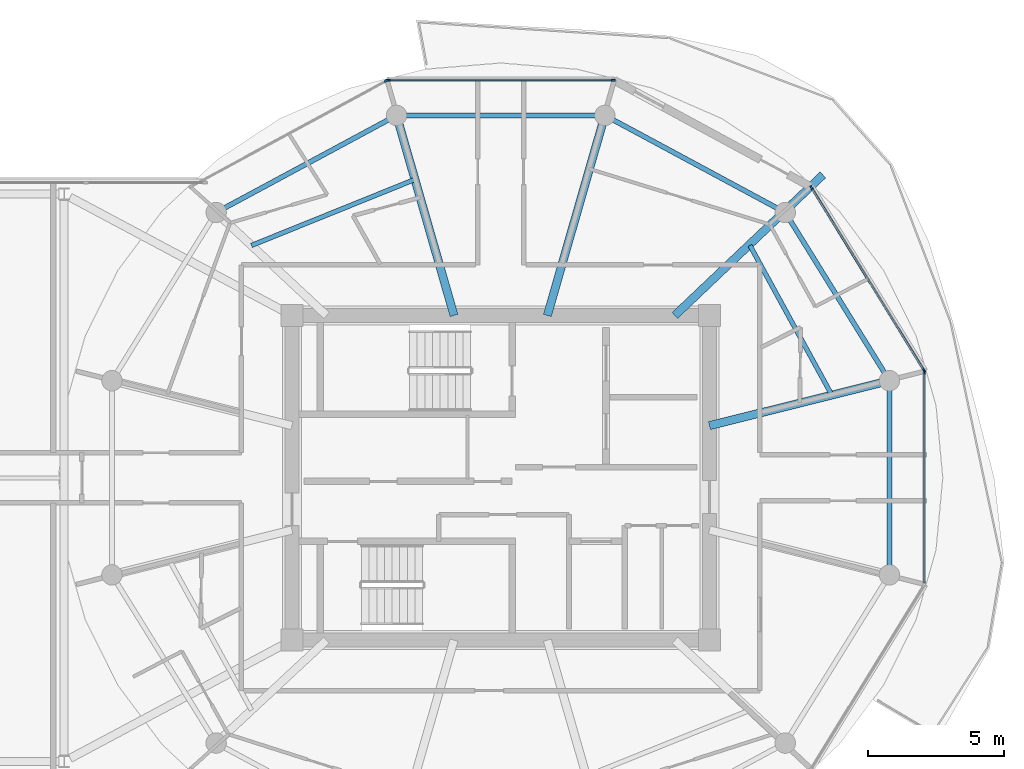
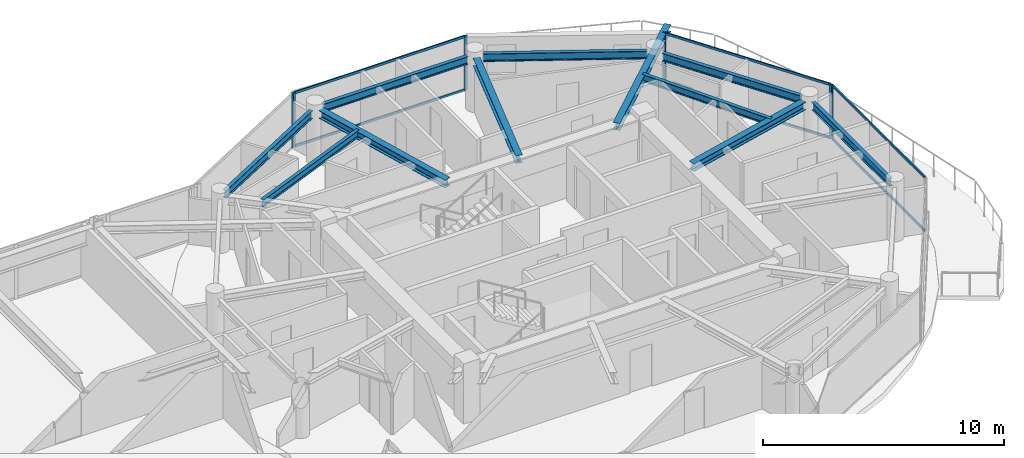
# One storey, part 10 of 23: 12 members, 11 beams, 4 elements without a shape of their own.
"""IFC4 building model written with IfcOpenShell, lengths in metres."""

from ifc_helpers import new_model, si_unit, direction, frame, origin, origin_2d, place, context, subcontext, project, spatial, rectangle, i_section, extrude, source, transform, mapped, material, layer, layer_set, material_profile, profile_set, type_object, type_shapes, element, aggregate, save


model = new_model("IFC4")

# Units and contexts
model_context = context("Model", 3, precision=1e-05, world=origin(), true_north=direction((0.0, 1.0)))
body_context = subcontext(model_context, "Body", "Model", "MODEL_VIEW")
ifc_project = project(units=[si_unit("LENGTHUNIT", "METRE"), si_unit("AREAUNIT", "SQUARE_METRE"), si_unit("VOLUMEUNIT", "CUBIC_METRE"), si_unit("PLANEANGLEUNIT", "RADIAN"), si_unit("MASSUNIT", "GRAM", prefix="KILO")], contexts=[model_context])

# Site, building, storey
site_placement = place(None, origin())
site = spatial("IfcSite", under=ifc_project, at=site_placement, CompositionType="ELEMENT")
building_placement = place(site_placement, origin())
building = spatial("IfcBuilding", under=site, at=building_placement, Name="Norrkilde Senior Care Towers", CompositionType="ELEMENT")
storey_placement = place(building_placement, frame((0.0, 0.0, 220.0)))
storey = spatial("IfcBuildingStorey", under=building, at=storey_placement, Name="L68", CompositionType="ELEMENT", Elevation=220.0)

# Beams
ifc_material_1 = material(Name="Steel S355", Category="steel")
ifc_material_profile_1 = material_profile(ifc_material_1, i_section(OverallWidth=0.179931640625, OverallDepth=0.39990234375, WebThickness=0.008544921875, FlangeThickness=0.013427734375, FilletRadius=0.02099609375, at=origin_2d()), Name="IPE 400")
ifc_profile_set_1 = profile_set([ifc_material_profile_1], Name="Steel S355")
beam_type_1 = type_object("IfcBeamType", Name="Perimeter Ring Spandrel Z4 IPE400", PredefinedType="SPANDREL", material=ifc_profile_set_1)
shared_shape_1 = source(origin(), body_context, "Body", "SweptSolid", [
    extrude(i_section(OverallWidth=0.179931640625, OverallDepth=0.39990234375, WebThickness=0.008544921875, FlangeThickness=0.013427734375, FilletRadius=0.02099609375, at=origin_2d()), origin(), (0.0, 0.0, 1.0), 6.58056640625),
])
beam_1_placement = place(storey_placement, frame((42.071044921875, 3.843505859375, 2.56005859375), z_axis=(-0.526529583789, 0.850156807533, 0.0), x_axis=(-0.850156807533, -0.526529583789, 0.0)))
element("IfcBeam", 1, at=beam_1_placement, inside=storey, type_object=beam_type_1, Name="L68 Drum E Perimeter Spandrel 01", PredefinedType="SPANDREL", context=body_context, shape_type="MappedRepresentation", body=[
    mapped(shared_shape_1, transform((0.0, 0.0, 0.0), x_axis=(1.0, 0.0, 0.0), y_axis=(0.0, 1.0, 0.0), z_axis=(0.0, 0.0, 1.0), scale=1.0)),
])
ifc_material_profile_2 = material_profile(ifc_material_1, i_section(OverallWidth=0.300048828125, OverallDepth=0.39990234375, WebThickness=0.013427734375, FlangeThickness=0.02392578125, FilletRadius=0.027099609375, at=origin_2d()), Name="HEB 400")
ifc_profile_set_2 = profile_set([ifc_material_profile_2], Name="Steel S355")
beam_type_2 = type_object("IfcBeamType", Name="Radial Floor Beam Z4 HEB400", PredefinedType="BEAM", material=ifc_profile_set_2)
shared_shape_2 = source(origin(), body_context, "Body", "SweptSolid", [
    extrude(i_section(OverallWidth=0.300048828125, OverallDepth=0.39990234375, WebThickness=0.013427734375, FlangeThickness=0.02392578125, FilletRadius=0.027099609375, at=origin_2d()), origin(), (0.0, 0.0, 1.0), 6.465087890625),
])
beam_2_placement = place(storey_placement, frame((35.64990234375, 1.910888671875, 2.56005859375), z_axis=(0.970195788563, 0.242322371758, 0.0), x_axis=(-0.242322371758, 0.970195788563, 0.0)))
element("IfcBeam", 2, at=beam_2_placement, inside=storey, type_object=beam_type_2, Name="L68 Drum E Radial Floor Beam 01", PredefinedType="BEAM", context=body_context, shape_type="MappedRepresentation", body=[
    mapped(shared_shape_2, transform((0.0, 0.0, 0.0), x_axis=(1.0, 0.0, 0.0), y_axis=(0.0, 1.0, 0.0), z_axis=(0.0, 0.0, 1.0), scale=1.0)),
])
shared_shape_3 = source(origin(), body_context, "Body", "SweptSolid", [
    extrude(i_section(OverallWidth=0.179931640625, OverallDepth=0.39990234375, WebThickness=0.008544921875, FlangeThickness=0.013427734375, FilletRadius=0.02099609375, at=origin_2d()), origin(), (0.0, 0.0, 1.0), 6.839111328125),
])
for number, where, z_axis, x_axis, name in (
    (3, (38.134765625, 9.881591796875, 2.56005859375), (-0.880563930732, 0.473927382511, 0.0), (-0.473927382511, -0.880563930732, 0.0), "L68 Drum E Perimeter Spandrel 02"),
    (4, (23.887451171875, 13.122802734375, 2.56005859375), (-0.880563930732, -0.473927382511, 0.0), (0.473927382511, -0.880563930732, 0.0), "L68 Drum E Perimeter Spandrel 04"),
):
    element("IfcBeam", number, at=place(storey_placement, frame(where, z_axis=z_axis, x_axis=x_axis)), inside=storey, type_object=beam_type_1, Name=name, PredefinedType="SPANDREL", context=body_context, shape_type="MappedRepresentation", body=[
        mapped(shared_shape_3, transform((0.0, 0.0, 0.0), x_axis=(1.0, 0.0, 0.0), y_axis=(0.0, 1.0, 0.0), z_axis=(0.0, 0.0, 1.0), scale=1.0)),
    ])
shared_shape_4 = source(origin(), body_context, "Body", "SweptSolid", [
    extrude(i_section(OverallWidth=0.179931640625, OverallDepth=0.39990234375, WebThickness=0.008544921875, FlangeThickness=0.013427734375, FilletRadius=0.02099609375, at=origin_2d()), origin(), (0.0, 0.0, 1.0), 6.96533203125),
])
beam_3_placement = place(storey_placement, frame((31.482666015625, 13.281494140625, 2.56005859375), z_axis=(-1.0, 0.0, 0.0), x_axis=(0.0, -1.0, 0.0)))
element("IfcBeam", 5, at=beam_3_placement, inside=storey, type_object=beam_type_1, Name="L68 Drum E Perimeter Spandrel 03", PredefinedType="SPANDREL", context=body_context, shape_type="MappedRepresentation", body=[
    mapped(shared_shape_4, transform((0.0, 0.0, 0.0), x_axis=(1.0, 0.0, 0.0), y_axis=(0.0, 1.0, 0.0), z_axis=(0.0, 0.0, 1.0), scale=1.0)),
])
shared_shape_5 = source(origin(), body_context, "Body", "SweptSolid", [
    extrude(i_section(OverallWidth=0.300048828125, OverallDepth=0.39990234375, WebThickness=0.013427734375, FlangeThickness=0.02392578125, FilletRadius=0.027099609375, at=origin_2d()), origin(), (0.0, 0.0, 1.0), 7.29345703125),
])
type_shapes(beam_type_2, [shared_shape_2, shared_shape_5])
for number, where, z_axis, x_axis, name in (
    (6, (29.710205078125, 5.949951171875, 2.56005859375), (0.276263751906, 0.961081858836, 0.0), (-0.961081858836, 0.276263751906, 0.0), "L68 Drum E Radial Floor Beam 03"),
    (7, (26.289794921875, 5.949951171875, 2.56005859375), (-0.276263751906, 0.961081858836, 0.0), (-0.961081858836, -0.276263751906, 0.0), "L68 Drum E Radial Floor Beam 04"),
):
    element("IfcBeam", number, at=place(storey_placement, frame(where, z_axis=z_axis, x_axis=x_axis)), inside=storey, type_object=beam_type_2, Name=name, PredefinedType="BEAM", context=body_context, shape_type="MappedRepresentation", body=[
        mapped(shared_shape_5, transform((0.0, 0.0, 0.0), x_axis=(1.0, 0.0, 0.0), y_axis=(0.0, 1.0, 0.0), z_axis=(0.0, 0.0, 1.0), scale=1.0)),
    ])
shared_shape_6 = source(origin(), body_context, "Body", "SweptSolid", [
    extrude(i_section(OverallWidth=0.179931640625, OverallDepth=0.39990234375, WebThickness=0.008544921875, FlangeThickness=0.013427734375, FilletRadius=0.02099609375, at=origin_2d()), origin(), (0.0, 0.0, 1.0), 6.44775390625),
])
type_shapes(beam_type_1, [shared_shape_1, shared_shape_3, shared_shape_4, shared_shape_6])
beam_4_placement = place(storey_placement, frame((42.247314453125, -3.223876953125, 2.56005859375), z_axis=(0.0, 1.0, 0.0), x_axis=(-1.0, 0.0, 0.0)))
element("IfcBeam", 8, at=beam_4_placement, inside=storey, type_object=beam_type_1, Name="L68 Drum E Perimeter Spandrel 12", PredefinedType="SPANDREL", context=body_context, shape_type="MappedRepresentation", body=[
    mapped(shared_shape_6, transform((0.0, 0.0, 0.0), x_axis=(1.0, 0.0, 0.0), y_axis=(0.0, 1.0, 0.0), z_axis=(0.0, 0.0, 1.0), scale=1.0)),
])
ifc_material_profile_3 = material_profile(ifc_material_1, i_section(OverallWidth=0.169921875, OverallDepth=0.360107421875, WebThickness=0.008056640625, FlangeThickness=0.0126953125, FilletRadius=0.01806640625, at=origin_2d()), Name="IPE 360")
ifc_profile_set_3 = profile_set([ifc_material_profile_3], Name="Steel S355")
beam_type_3 = type_object("IfcBeamType", Name="Secondary Floor Joist IPE360", PredefinedType="JOIST", material=ifc_profile_set_3)
shared_shape_7 = source(origin(), body_context, "Body", "SweptSolid", [
    extrude(i_section(OverallWidth=0.169921875, OverallDepth=0.360107421875, WebThickness=0.008056640625, FlangeThickness=0.0126953125, FilletRadius=0.01806640625, at=origin_2d()), origin(), (0.0, 0.0, 1.0), 6.461669921875),
])
beam_5_placement = place(storey_placement, frame((24.856689453125, 10.935302734375, 2.580078125), z_axis=(-0.927225942298, -0.374502405772, 0.0), x_axis=(0.374502405772, -0.927225942298, 0.0)))
element("IfcBeam", 9, at=beam_5_placement, inside=storey, type_object=beam_type_3, Name="L68 Drum E Secondary Floor Joist 2", PredefinedType="JOIST", context=body_context, shape_type="MappedRepresentation", body=[
    mapped(shared_shape_7, transform((0.0, 0.0, 0.0), x_axis=(1.0, 0.0, 0.0), y_axis=(0.0, 1.0, 0.0), z_axis=(0.0, 0.0, 1.0), scale=1.0)),
])
shared_shape_8 = source(origin(), body_context, "Body", "SweptSolid", [
    extrude(i_section(OverallWidth=0.169921875, OverallDepth=0.360107421875, WebThickness=0.008056640625, FlangeThickness=0.0126953125, FilletRadius=0.01806640625, at=origin_2d()), origin(), (0.0, 0.0, 1.0), 6.25146484375),
])
type_shapes(beam_type_3, [shared_shape_7, shared_shape_8])
beam_6_placement = place(storey_placement, frame((40.13623046875, 3.031494140625, 2.580078125), z_axis=(-0.480115752653, 0.877205143655, 0.0), x_axis=(-0.877205143655, -0.480115752653, 0.0)))
element("IfcBeam", 10, at=beam_6_placement, inside=storey, type_object=beam_type_3, Name="L68 Drum E Secondary Floor Joist 1", PredefinedType="JOIST", context=body_context, shape_type="MappedRepresentation", body=[
    mapped(shared_shape_8, transform((0.0, 0.0, 0.0), x_axis=(1.0, 0.0, 0.0), y_axis=(0.0, 1.0, 0.0), z_axis=(0.0, 0.0, 1.0), scale=1.0)),
])
ifc_material_profile_4 = material_profile(ifc_material_1, i_section(OverallWidth=0.300048828125, OverallDepth=0.360107421875, WebThickness=0.012451171875, FlangeThickness=0.0224609375, FilletRadius=0.027099609375, at=origin_2d()), Name="HEB 360")
ifc_profile_set_4 = profile_set([ifc_material_profile_4], Name="Steel S355")
beam_type_4 = type_object("IfcBeamType", Name="Balcony Crest Cantilever Rib HEB360", PredefinedType="BEAM", material=ifc_profile_set_4)
shared_shape_9 = source(origin(), body_context, "Body", "SweptSolid", [
    extrude(i_section(OverallWidth=0.300048828125, OverallDepth=0.360107421875, WebThickness=0.012451171875, FlangeThickness=0.0224609375, FilletRadius=0.027099609375, at=origin_2d()), origin(), (0.0, 0.0, 1.0), 7.48193359375),
])
type_shapes(beam_type_4, [shared_shape_9])
beam_7_placement = place(storey_placement, frame((34.3828125, 5.949951171875, 2.580078125), z_axis=(0.725191675346, 0.688547045603, 0.0), x_axis=(-0.688547045603, 0.725191675346, 0.0)))
element("IfcBeam", 11, at=beam_7_placement, inside=storey, type_object=beam_type_4, Name="L68 Drum E Balcony Cantilever Rib", PredefinedType="BEAM", context=body_context, shape_type="MappedRepresentation", body=[
    mapped(shared_shape_9, transform((0.0, 0.0, 0.0), x_axis=(1.0, 0.0, 0.0), y_axis=(0.0, 1.0, 0.0), z_axis=(0.0, 0.0, 1.0), scale=1.0)),
])

# Curtain wall, members
ifc_material_2 = material(Name="Triple Low-E Insulated Glazing", Category="glass")
ifc_layer = layer(ifc_material_2, 0.18505859375)
ifc_layer_set = layer_set([ifc_layer], Name="Triple Low-E Insulated Glazing")
curtain_wall_type = type_object("IfcCurtainWallType", Name="CW6 Zone 4 Crown Pavilion Curtain Wall", PredefinedType="NOTDEFINED", material=ifc_layer_set)
curtain_wall_1_placement = place(storey_placement, origin())
curtain_wall_1 = element("IfcCurtainWall", 12, at=curtain_wall_1_placement, inside=storey, type_object=curtain_wall_type, Name="L68 Drum E Curtain Wall 00", PredefinedType="NOTDEFINED")
ifc_material_3 = material(Name="Anodised Aluminium", Category="aluminium")
ifc_material_profile_5 = material_profile(ifc_material_3, rectangle(XDim=0.06005859375, YDim=0.1201171875, at=origin_2d()), Name="ALU TRAN 60x120")
ifc_profile_set_5 = profile_set([ifc_material_profile_5], Name="Anodised Aluminium")
member_type_1 = type_object("IfcMemberType", Name="Curtain Wall Transom Typical 60x120", PredefinedType="USERDEFINED", material=ifc_profile_set_5)
shared_shape_10 = source(origin(), body_context, "Body", "SweptSolid", [
    extrude(rectangle(XDim=0.06005859375, YDim=0.1201171875, at=origin_2d()), origin(), (0.0, 0.0, 1.0), 7.808837890625),
])
member_1_placement = place(storey_placement, frame((39.404296875, 10.60791015625, 0.030029296875), z_axis=(0.524250924101, -0.851563837055, 0.0), x_axis=(0.851563837055, 0.524250924101, 0.0)))
member_1 = element("IfcMember", 13, at=member_1_placement, type_object=member_type_1, Name="CW-6 transom 1.1", ObjectType="TRANSOM", PredefinedType="USERDEFINED", context=body_context, shape_type="MappedRepresentation", body=[
    mapped(shared_shape_10, transform((0.0, 0.0, 0.0), x_axis=(1.0, 0.0, 0.0), y_axis=(0.0, 1.0, 0.0), z_axis=(0.0, 0.0, 1.0), scale=1.0)),
])
member_2_placement = place(storey_placement, frame((39.404296875, 10.60791015625, 2.72998046875), z_axis=(0.524250924101, -0.851563837055, 0.0), x_axis=(0.851563837055, 0.524250924101, 0.0)))
member_2 = element("IfcMember", 14, at=member_2_placement, type_object=member_type_1, Name="CW-6 transom 1.2", ObjectType="TRANSOM", PredefinedType="USERDEFINED", context=body_context, shape_type="MappedRepresentation", body=[
    mapped(shared_shape_10, transform((0.0, 0.0, 0.0), x_axis=(1.0, 0.0, 0.0), y_axis=(0.0, 1.0, 0.0), z_axis=(0.0, 0.0, 1.0), scale=1.0)),
])

curtain_wall_2_placement = place(storey_placement, origin())
curtain_wall_2 = element("IfcCurtainWall", 15, at=curtain_wall_2_placement, inside=storey, type_object=curtain_wall_type, Name="L68 Drum E Curtain Wall 02", PredefinedType="NOTDEFINED")
shared_shape_11 = source(origin(), body_context, "Body", "SweptSolid", [
    extrude(rectangle(XDim=0.06005859375, YDim=0.1201171875, at=origin_2d()), origin(), (0.0, 0.0, 1.0), 8.19384765625),
])
member_3_placement = place(storey_placement, frame((23.903076171875, 14.566162109375, 0.030029296875), z_axis=(1.0, 0.0, 0.0), x_axis=(0.0, 1.0, 0.0)))
member_3 = element("IfcMember", 16, at=member_3_placement, type_object=member_type_1, Name="CW-6 transom 1.1", ObjectType="TRANSOM", PredefinedType="USERDEFINED", context=body_context, shape_type="MappedRepresentation", body=[
    mapped(shared_shape_11, transform((0.0, 0.0, 0.0), x_axis=(1.0, 0.0, 0.0), y_axis=(0.0, 1.0, 0.0), z_axis=(0.0, 0.0, 1.0), scale=1.0)),
])
member_4_placement = place(storey_placement, frame((23.903076171875, 14.566162109375, 2.72998046875), z_axis=(1.0, 0.0, 0.0), x_axis=(0.0, 1.0, 0.0)))
member_4 = element("IfcMember", 17, at=member_4_placement, type_object=member_type_1, Name="CW-6 transom 1.2", ObjectType="TRANSOM", PredefinedType="USERDEFINED", context=body_context, shape_type="MappedRepresentation", body=[
    mapped(shared_shape_11, transform((0.0, 0.0, 0.0), x_axis=(1.0, 0.0, 0.0), y_axis=(0.0, 1.0, 0.0), z_axis=(0.0, 0.0, 1.0), scale=1.0)),
])

curtain_wall_3_placement = place(storey_placement, origin())
curtain_wall_3 = element("IfcCurtainWall", 18, at=curtain_wall_3_placement, inside=storey, type_object=curtain_wall_type, Name="L68 Drum E Curtain Wall 11", PredefinedType="NOTDEFINED")
shared_shape_12 = source(origin(), body_context, "Body", "SweptSolid", [
    extrude(rectangle(XDim=0.06005859375, YDim=0.1201171875, at=origin_2d()), origin(), (0.0, 0.0, 1.0), 7.67578125),
])
type_shapes(member_type_1, [shared_shape_10, shared_shape_11, shared_shape_12])
member_5_placement = place(storey_placement, frame((43.531982421875, 3.837890625, 0.030029296875), z_axis=(0.0, -1.0, 0.0), x_axis=(1.0, 0.0, 0.0)))
member_5 = element("IfcMember", 19, at=member_5_placement, type_object=member_type_1, Name="CW-6 transom 1.1", ObjectType="TRANSOM", PredefinedType="USERDEFINED", context=body_context, shape_type="MappedRepresentation", body=[
    mapped(shared_shape_12, transform((0.0, 0.0, 0.0), x_axis=(1.0, 0.0, 0.0), y_axis=(0.0, 1.0, 0.0), z_axis=(0.0, 0.0, 1.0), scale=1.0)),
])
member_6_placement = place(storey_placement, frame((43.531982421875, 3.837890625, 2.72998046875), z_axis=(0.0, -1.0, 0.0), x_axis=(1.0, 0.0, 0.0)))
member_6 = element("IfcMember", 20, at=member_6_placement, type_object=member_type_1, Name="CW-6 transom 1.2", ObjectType="TRANSOM", PredefinedType="USERDEFINED", context=body_context, shape_type="MappedRepresentation", body=[
    mapped(shared_shape_12, transform((0.0, 0.0, 0.0), x_axis=(1.0, 0.0, 0.0), y_axis=(0.0, 1.0, 0.0), z_axis=(0.0, 0.0, 1.0), scale=1.0)),
])

# Member
ifc_material_profile_6 = material_profile(ifc_material_3, rectangle(XDim=0.06494140625, YDim=0.14990234375, at=origin_2d()), Name="ALU MULL 65x150")
ifc_profile_set_6 = profile_set([ifc_material_profile_6], Name="Anodised Aluminium")
member_type_2 = type_object("IfcMemberType", Name="Curtain Wall Mullion Z3-Z4 65x150", PredefinedType="MULLION", material=ifc_profile_set_6)
shared_shape_13 = source(origin(), body_context, "Body", "SweptSolid", [
    extrude(rectangle(XDim=0.06494140625, YDim=0.14990234375, at=origin_2d()), origin(), (0.0, 0.0, 1.0), 2.760009765625),
])
type_shapes(member_type_2, [shared_shape_13])
member_7_placement = place(storey_placement, frame((39.38720703125, 10.635498046875, 0.0), z_axis=(0.0, 0.0, 1.0), x_axis=(0.851562727283, 0.524252726748, 0.0)))
member_7 = element("IfcMember", 21, at=member_7_placement, type_object=member_type_2, Name="CW-6 mullion 1", PredefinedType="MULLION", context=body_context, shape_type="MappedRepresentation", body=[
    mapped(shared_shape_13, transform((0.0, 0.0, 0.0), x_axis=(1.0, 0.0, 0.0), y_axis=(0.0, 1.0, 0.0), z_axis=(0.0, 0.0, 1.0), scale=1.0)),
])

member_8_placement = place(storey_placement, frame((43.51513671875, 3.9306640625, 0.0), z_axis=(0.0, 0.0, 1.0), x_axis=(0.851562727283, 0.524252726748, 0.0)))
member_8 = element("IfcMember", 22, at=member_8_placement, type_object=member_type_2, Name="CW-6 mullion 2", PredefinedType="MULLION", context=body_context, shape_type="MappedRepresentation", body=[
    mapped(shared_shape_13, transform((0.0, 0.0, 0.0), x_axis=(1.0, 0.0, 0.0), y_axis=(0.0, 1.0, 0.0), z_axis=(0.0, 0.0, 1.0), scale=1.0)),
])

aggregate(curtain_wall_1, [member_7, member_8, member_1, member_2])

member_9_placement = place(storey_placement, frame((23.87060546875, 14.566162109375, 0.0), z_axis=(0.0, 0.0, 1.0), x_axis=(0.0, 1.0, 0.0)))
member_9 = element("IfcMember", 23, at=member_9_placement, type_object=member_type_2, Name="CW-6 mullion 1", PredefinedType="MULLION", context=body_context, shape_type="MappedRepresentation", body=[
    mapped(shared_shape_13, transform((0.0, 0.0, 0.0), x_axis=(1.0, 0.0, 0.0), y_axis=(0.0, 1.0, 0.0), z_axis=(0.0, 0.0, 1.0), scale=1.0)),
])

member_10_placement = place(storey_placement, frame((32.12939453125, 14.566162109375, 0.0), z_axis=(0.0, 0.0, 1.0), x_axis=(0.0, 1.0, 0.0)))
member_10 = element("IfcMember", 24, at=member_10_placement, type_object=member_type_2, Name="CW-6 mullion 2", PredefinedType="MULLION", context=body_context, shape_type="MappedRepresentation", body=[
    mapped(shared_shape_13, transform((0.0, 0.0, 0.0), x_axis=(1.0, 0.0, 0.0), y_axis=(0.0, 1.0, 0.0), z_axis=(0.0, 0.0, 1.0), scale=1.0)),
])

aggregate(curtain_wall_2, [member_9, member_10, member_3, member_4])

# Curtain wall, member
curtain_wall_4_placement = place(storey_placement, origin())
curtain_wall_4 = element("IfcCurtainWall", 25, at=curtain_wall_4_placement, inside=storey, type_object=curtain_wall_type, Name="L68 Drum E Curtain Wall 03", PredefinedType="NOTDEFINED")
member_11_placement = place(storey_placement, frame((23.8095703125, 14.55078125, 0.0), z_axis=(0.0, 0.0, 1.0), x_axis=(-0.476132676136, 0.879373455772, 0.0)))
member_11 = element("IfcMember", 26, at=member_11_placement, type_object=member_type_2, Name="CW-6 mullion 2", PredefinedType="MULLION", context=body_context, shape_type="MappedRepresentation", body=[
    mapped(shared_shape_13, transform((0.0, 0.0, 0.0), x_axis=(1.0, 0.0, 0.0), y_axis=(0.0, 1.0, 0.0), z_axis=(0.0, 0.0, 1.0), scale=1.0)),
])
aggregate(curtain_wall_4, [member_11])

# Member
member_12_placement = place(storey_placement, frame((43.531982421875, 3.87060546875, 0.0), z_axis=(0.0, 0.0, 1.0), x_axis=(1.0, 0.0, 0.0)))
member_12 = element("IfcMember", 27, at=member_12_placement, type_object=member_type_2, Name="CW-6 mullion 1", PredefinedType="MULLION", context=body_context, shape_type="MappedRepresentation", body=[
    mapped(shared_shape_13, transform((0.0, 0.0, 0.0), x_axis=(1.0, 0.0, 0.0), y_axis=(0.0, 1.0, 0.0), z_axis=(0.0, 0.0, 1.0), scale=1.0)),
])

aggregate(curtain_wall_3, [member_12, member_5, member_6])

save(model, "model.ifc")
